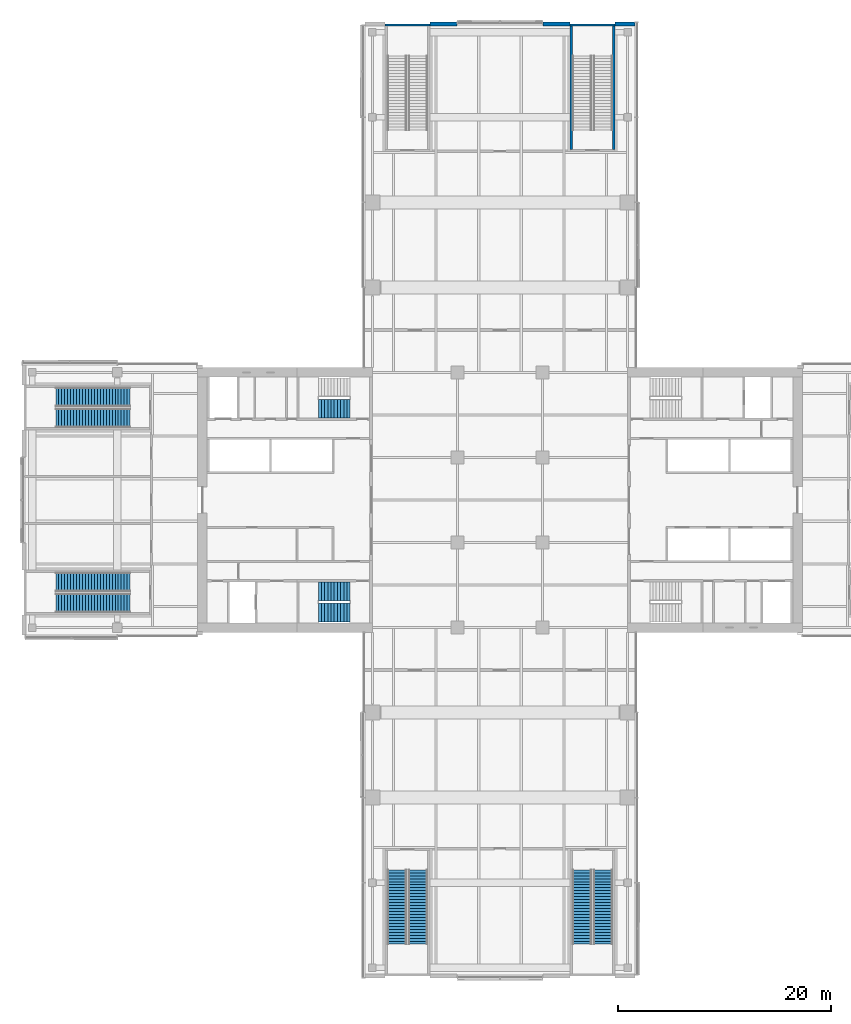
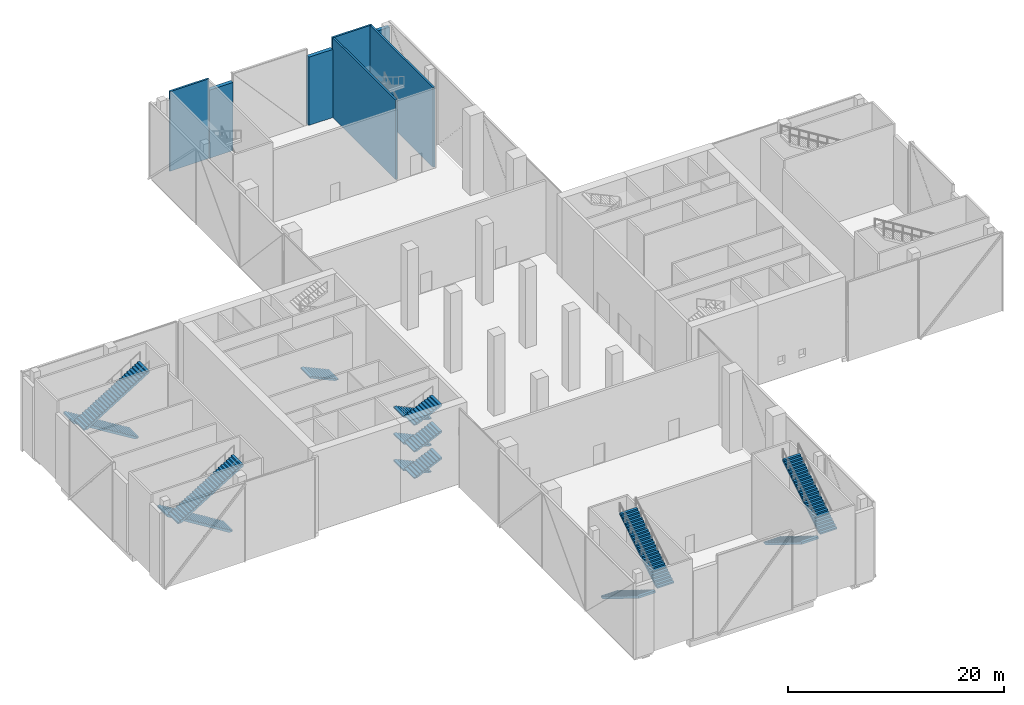
# One storey, part 18 of 26: 15 stair flights, 7 walls, 6 elements without a shape of their own.
"""IFC4 building model written with IfcOpenShell, lengths in metres."""

from ifc_helpers import new_model, si_unit, direction, frame, frame_2d, origin, place, context, subcontext, project, spatial, polyline, rectangle, outline, extrude, material, layer, layer_set, type_object, element, aggregate, save


model = new_model("IFC4")

# Units and contexts
model_context = context("Model", 3, precision=1e-05, world=origin(), true_north=direction((0.0, 1.0)))
body_context = subcontext(model_context, "Body", "Model", "MODEL_VIEW")
ifc_project = project(units=[si_unit("LENGTHUNIT", "METRE"), si_unit("AREAUNIT", "SQUARE_METRE"), si_unit("VOLUMEUNIT", "CUBIC_METRE"), si_unit("PLANEANGLEUNIT", "RADIAN"), si_unit("MASSUNIT", "GRAM", prefix="KILO")], contexts=[model_context])

# Site, building, storey
site_placement = place(None, origin())
site = spatial("IfcSite", under=ifc_project, at=site_placement, CompositionType="ELEMENT")
building_placement = place(site_placement, origin())
building = spatial("IfcBuilding", under=site, at=building_placement, Name="Crosswind Convention Tower", CompositionType="ELEMENT")
storey_placement = place(building_placement, frame((0.0, 0.0, 25.0)))
storey = spatial("IfcBuildingStorey", under=building, at=storey_placement, Name="L03", CompositionType="ELEMENT", Elevation=25.0)

# Walls
ifc_material_1 = material(Name="Concrete C40/50", Category="concrete")
ifc_layer_1 = layer(ifc_material_1, 0.199951171875)
ifc_layer_set_1 = layer_set([ifc_layer_1], Name="Concrete C40/50")
wall_type_1 = type_object("IfcWallType", Name="STAIR ENCLOSURE WALL 200", PredefinedType="SOLIDWALL", material=ifc_layer_set_1)
for number, where, z_axis, x_axis, name in (
    (1, (114.199951171875, 144.699951171875, 0.0), (0.0, 0.0, 1.0), (1.0, 0.0, 0.0), "Stair Enclosure Wall 21"),
    (2, (131.60009765625, 144.699951171875, 0.0), (0.0, 0.0, 1.0), (1.0, 0.0, 0.0), "Stair Enclosure Wall 22"),
):
    element("IfcWall", number, at=place(storey_placement, frame(where, z_axis=z_axis, x_axis=x_axis)), inside=storey, type_object=wall_type_1, Name=name, PredefinedType="SOLIDWALL", context=body_context, shape_type="SweptSolid", body=[
        extrude(rectangle(XDim=4.199951171875, YDim=0.199951171875, at=frame_2d((2.10009765625, 0.0))), origin(), (0.0, 0.0, 1.0), 9.0),
    ])
for number, where, z_axis, x_axis, name in (
    (3, (131.699951171875, 133.0, 0.0), (0.0, 0.0, 1.0), (0.0, 1.0, 0.0), "Stair Enclosure Wall 33"),
    (4, (135.699951171875, 133.0, 0.0), (0.0, 0.0, 1.0), (0.0, 1.0, 0.0), "Stair Enclosure Wall 35"),
):
    element("IfcWall", number, at=place(storey_placement, frame(where, z_axis=z_axis, x_axis=x_axis)), inside=storey, type_object=wall_type_1, Name=name, PredefinedType="SOLIDWALL", context=body_context, shape_type="SweptSolid", body=[
        extrude(rectangle(XDim=11.60009765625, YDim=0.199951171875, at=frame_2d((5.800048828125, 0.0))), origin(), (0.0, 0.0, 1.0), 9.0),
    ])
ifc_material_2 = material(Name="Terracotta rainscreen", Category="ceramic")
ifc_layer_2 = layer(ifc_material_2, 0.02001953125)
ifc_material_3 = material(Name="Mineral wool insulation", Category="insulation")
ifc_layer_3 = layer(ifc_material_3, 0.10009765625)
ifc_material_4 = material(Name="Concrete blockwork", Category="masonry")
ifc_layer_4 = layer(ifc_material_4, 0.280029296875)
ifc_layer_set_2 = layer_set([ifc_layer_2, ifc_layer_3, ifc_layer_4], Name="TERRACOTTA INFILL WALL 400")
wall_type_2 = type_object("IfcWallType", Name="TERRACOTTA INFILL WALL 400", PredefinedType="SOLIDWALL", material=ifc_layer_set_2)
wall_placement = place(storey_placement, frame((137.699951171875, 144.784912109375, 0.0), z_axis=(0.0, 0.0, 1.0), x_axis=(-1.0, 0.0, 0.0)))
element("IfcWall", 5, at=wall_placement, inside=storey, type_object=wall_type_2, Name="Stair enclosure side wall L03 N-TIP.1-1.1", PredefinedType="SOLIDWALL", context=body_context, shape_type="SweptSolid", body=[
    extrude(rectangle(XDim=1.89990234375, YDim=0.39990234375, at=frame_2d((0.949951171875, 0.0))), origin(), (0.0, 0.0, 1.0), 8.10009765625),
])
for number, where, z_axis, x_axis, name in (
    (6, (131.60009765625, 144.784912109375, 0.0), (0.0, 0.0, 1.0), (-1.0, 0.0, 0.0), "Stair enclosure side wall L03 N-TIP.1-1.2"),
    (7, (120.9599609375, 144.784912109375, 0.0), (0.0, 0.0, 1.0), (-1.0, 0.0, 0.0), "Stair enclosure side wall L03 N-TIP.1-3.1"),
):
    element("IfcWall", number, at=place(storey_placement, frame(where, z_axis=z_axis, x_axis=x_axis)), inside=storey, type_object=wall_type_2, Name=name, PredefinedType="SOLIDWALL", context=body_context, shape_type="SweptSolid", body=[
        extrude(rectangle(XDim=2.56005859375, YDim=0.39990234375, at=frame_2d((1.280029296875, 0.0))), origin(), (0.0, 0.0, 1.0), 7.699951171875),
    ])

# Stair, stair flights
stair_type_1 = type_object("IfcStairType", Name="PODIUM EXIT STAIR 9000 RISE", PredefinedType="HALF_TURN_STAIR", material=ifc_material_1)
stair_1_placement = place(storey_placement, origin())
stair_1 = element("IfcStair", 8, at=stair_1_placement, inside=storey, type_object=stair_type_1, Name="Exit stair S1 L03", ObjectType="ST12", PredefinedType="HALF_TURN_STAIR")
stair_flight_type_1 = type_object("IfcStairFlightType", Name="PODIUM STAIR FLIGHT 26 RISERS", PredefinedType="STRAIGHT", material=ifc_material_1)
stair_flight_1_placement = place(storey_placement, frame((115.300048828125, 65.199951171875, 0.0), z_axis=(0.0, 0.0, 1.0), x_axis=(0.0, -1.0, 0.0)))
stair_flight_1 = element("IfcStairFlight", 9, at=stair_flight_1_placement, type_object=stair_flight_type_1, Name="ST12 flight 1", NumberOfRisers=26, NumberOfTreads=25, PredefinedType="STRAIGHT", RiserHeight=0.173077, TreadLength=0.28, context=body_context, shape_type="SweptSolid", body=[
    extrude(outline(polyline([(0.0, 0.0), (0.0, 0.173095703125), (0.280029296875, 0.173095703125), (0.280029296875, 0.34619140625), (0.56005859375, 0.34619140625), (0.56005859375, 0.519287109375), (0.840087890625, 0.519287109375), (0.840087890625, 0.6923828125), (1.1201171875, 0.6923828125), (1.1201171875, 0.865478515625), (1.39990234375, 0.865478515625), (1.39990234375, 1.03857421875), (1.679931640625, 1.03857421875), (1.679931640625, 1.21142578125), (1.9599609375, 1.21142578125), (1.9599609375, 1.384521484375), (2.239990234375, 1.384521484375), (2.239990234375, 1.5576171875), (2.52001953125, 1.5576171875), (2.52001953125, 1.730712890625), (2.800048828125, 1.730712890625), (2.800048828125, 1.90380859375), (3.080078125, 1.90380859375), (3.080078125, 2.076904296875), (3.360107421875, 2.076904296875), (3.360107421875, 2.25), (3.639892578125, 2.25), (3.639892578125, 2.423095703125), (3.919921875, 2.423095703125), (3.919921875, 2.59619140625), (4.199951171875, 2.59619140625), (4.199951171875, 2.769287109375), (4.47998046875, 2.769287109375), (4.47998046875, 2.9423828125), (4.760009765625, 2.9423828125), (4.760009765625, 3.115478515625), (5.0400390625, 3.115478515625), (5.0400390625, 3.28857421875), (5.320068359375, 3.28857421875), (5.320068359375, 3.46142578125), (5.60009765625, 3.46142578125), (5.60009765625, 3.634521484375), (5.8798828125, 3.634521484375), (5.8798828125, 3.8076171875), (6.159912109375, 3.8076171875), (6.159912109375, 3.980712890625), (6.43994140625, 3.980712890625), (6.43994140625, 4.15380859375), (6.719970703125, 4.15380859375), (6.719970703125, 4.326904296875), (7.0, 4.326904296875), (7.0, 4.5), (7.0, 4.091796875), (0.38037109375, 0.0), (0.0, 0.0)])), frame((0.0, 0.89990234375, 0.0), z_axis=(0.0, -1.0, 0.0), x_axis=(1.0, 0.0, 0.0)), (0.0, 0.0, 1.0), 1.800048828125),
])
stair_flight_2_placement = place(storey_placement, frame((117.300048828125, 58.199951171875, 4.5), z_axis=(0.0, 0.0, 1.0), x_axis=(0.0, 1.0, 0.0)))
stair_flight_2 = element("IfcStairFlight", 10, at=stair_flight_2_placement, type_object=stair_flight_type_1, Name="ST12 flight 2", NumberOfRisers=26, NumberOfTreads=25, PredefinedType="STRAIGHT", RiserHeight=0.173077, TreadLength=0.28, context=body_context, shape_type="SweptSolid", body=[
    extrude(outline(polyline([(0.0, 0.0), (0.0, 0.173095703125), (0.280029296875, 0.173095703125), (0.280029296875, 0.34619140625), (0.56005859375, 0.34619140625), (0.56005859375, 0.519287109375), (0.840087890625, 0.519287109375), (0.840087890625, 0.6923828125), (1.1201171875, 0.6923828125), (1.1201171875, 0.865478515625), (1.39990234375, 0.865478515625), (1.39990234375, 1.03857421875), (1.679931640625, 1.03857421875), (1.679931640625, 1.21142578125), (1.9599609375, 1.21142578125), (1.9599609375, 1.384521484375), (2.239990234375, 1.384521484375), (2.239990234375, 1.5576171875), (2.52001953125, 1.5576171875), (2.52001953125, 1.730712890625), (2.800048828125, 1.730712890625), (2.800048828125, 1.90380859375), (3.080078125, 1.90380859375), (3.080078125, 2.076904296875), (3.360107421875, 2.076904296875), (3.360107421875, 2.25), (3.639892578125, 2.25), (3.639892578125, 2.423095703125), (3.919921875, 2.423095703125), (3.919921875, 2.59619140625), (4.199951171875, 2.59619140625), (4.199951171875, 2.769287109375), (4.47998046875, 2.769287109375), (4.47998046875, 2.9423828125), (4.760009765625, 2.9423828125), (4.760009765625, 3.115478515625), (5.0400390625, 3.115478515625), (5.0400390625, 3.28857421875), (5.320068359375, 3.28857421875), (5.320068359375, 3.46142578125), (5.60009765625, 3.46142578125), (5.60009765625, 3.634521484375), (5.8798828125, 3.634521484375), (5.8798828125, 3.8076171875), (6.159912109375, 3.8076171875), (6.159912109375, 3.980712890625), (6.43994140625, 3.980712890625), (6.43994140625, 4.15380859375), (6.719970703125, 4.15380859375), (6.719970703125, 4.326904296875), (7.0, 4.326904296875), (7.0, 4.5), (7.0, 4.091796875), (0.38037109375, 0.0), (0.0, 0.0)])), frame((0.0, 0.89990234375, 0.0), z_axis=(0.0, -1.0, 0.0), x_axis=(1.0, 0.0, 0.0)), (0.0, 0.0, 1.0), 1.800048828125),
])
aggregate(stair_1, [stair_flight_1, stair_flight_2])

stair_2_placement = place(storey_placement, origin())
stair_2 = element("IfcStair", 11, at=stair_2_placement, inside=storey, type_object=stair_type_1, Name="Exit stair S2 L03", ObjectType="ST12", PredefinedType="HALF_TURN_STAIR")
stair_flight_3_placement = place(storey_placement, frame((132.699951171875, 65.199951171875, 0.0), z_axis=(0.0, 0.0, 1.0), x_axis=(0.0, -1.0, 0.0)))
stair_flight_3 = element("IfcStairFlight", 12, at=stair_flight_3_placement, type_object=stair_flight_type_1, Name="ST12 flight 1", NumberOfRisers=26, NumberOfTreads=25, PredefinedType="STRAIGHT", RiserHeight=0.173077, TreadLength=0.28, context=body_context, shape_type="SweptSolid", body=[
    extrude(outline(polyline([(0.0, 0.0), (0.0, 0.173095703125), (0.280029296875, 0.173095703125), (0.280029296875, 0.34619140625), (0.56005859375, 0.34619140625), (0.56005859375, 0.519287109375), (0.840087890625, 0.519287109375), (0.840087890625, 0.6923828125), (1.1201171875, 0.6923828125), (1.1201171875, 0.865478515625), (1.39990234375, 0.865478515625), (1.39990234375, 1.03857421875), (1.679931640625, 1.03857421875), (1.679931640625, 1.21142578125), (1.9599609375, 1.21142578125), (1.9599609375, 1.384521484375), (2.239990234375, 1.384521484375), (2.239990234375, 1.5576171875), (2.52001953125, 1.5576171875), (2.52001953125, 1.730712890625), (2.800048828125, 1.730712890625), (2.800048828125, 1.90380859375), (3.080078125, 1.90380859375), (3.080078125, 2.076904296875), (3.360107421875, 2.076904296875), (3.360107421875, 2.25), (3.639892578125, 2.25), (3.639892578125, 2.423095703125), (3.919921875, 2.423095703125), (3.919921875, 2.59619140625), (4.199951171875, 2.59619140625), (4.199951171875, 2.769287109375), (4.47998046875, 2.769287109375), (4.47998046875, 2.9423828125), (4.760009765625, 2.9423828125), (4.760009765625, 3.115478515625), (5.0400390625, 3.115478515625), (5.0400390625, 3.28857421875), (5.320068359375, 3.28857421875), (5.320068359375, 3.46142578125), (5.60009765625, 3.46142578125), (5.60009765625, 3.634521484375), (5.8798828125, 3.634521484375), (5.8798828125, 3.8076171875), (6.159912109375, 3.8076171875), (6.159912109375, 3.980712890625), (6.43994140625, 3.980712890625), (6.43994140625, 4.15380859375), (6.719970703125, 4.15380859375), (6.719970703125, 4.326904296875), (7.0, 4.326904296875), (7.0, 4.5), (7.0, 4.091796875), (0.38037109375, 0.0), (0.0, 0.0)])), frame((0.0, 0.89990234375, 0.0), z_axis=(0.0, -1.0, 0.0), x_axis=(1.0, 0.0, 0.0)), (0.0, 0.0, 1.0), 1.800048828125),
])
stair_flight_4_placement = place(storey_placement, frame((134.699951171875, 58.199951171875, 4.5), z_axis=(0.0, 0.0, 1.0), x_axis=(0.0, 1.0, 0.0)))
stair_flight_4 = element("IfcStairFlight", 13, at=stair_flight_4_placement, type_object=stair_flight_type_1, Name="ST12 flight 2", NumberOfRisers=26, NumberOfTreads=25, PredefinedType="STRAIGHT", RiserHeight=0.173077, TreadLength=0.28, context=body_context, shape_type="SweptSolid", body=[
    extrude(outline(polyline([(0.0, 0.0), (0.0, 0.173095703125), (0.280029296875, 0.173095703125), (0.280029296875, 0.34619140625), (0.56005859375, 0.34619140625), (0.56005859375, 0.519287109375), (0.840087890625, 0.519287109375), (0.840087890625, 0.6923828125), (1.1201171875, 0.6923828125), (1.1201171875, 0.865478515625), (1.39990234375, 0.865478515625), (1.39990234375, 1.03857421875), (1.679931640625, 1.03857421875), (1.679931640625, 1.21142578125), (1.9599609375, 1.21142578125), (1.9599609375, 1.384521484375), (2.239990234375, 1.384521484375), (2.239990234375, 1.5576171875), (2.52001953125, 1.5576171875), (2.52001953125, 1.730712890625), (2.800048828125, 1.730712890625), (2.800048828125, 1.90380859375), (3.080078125, 1.90380859375), (3.080078125, 2.076904296875), (3.360107421875, 2.076904296875), (3.360107421875, 2.25), (3.639892578125, 2.25), (3.639892578125, 2.423095703125), (3.919921875, 2.423095703125), (3.919921875, 2.59619140625), (4.199951171875, 2.59619140625), (4.199951171875, 2.769287109375), (4.47998046875, 2.769287109375), (4.47998046875, 2.9423828125), (4.760009765625, 2.9423828125), (4.760009765625, 3.115478515625), (5.0400390625, 3.115478515625), (5.0400390625, 3.28857421875), (5.320068359375, 3.28857421875), (5.320068359375, 3.46142578125), (5.60009765625, 3.46142578125), (5.60009765625, 3.634521484375), (5.8798828125, 3.634521484375), (5.8798828125, 3.8076171875), (6.159912109375, 3.8076171875), (6.159912109375, 3.980712890625), (6.43994140625, 3.980712890625), (6.43994140625, 4.15380859375), (6.719970703125, 4.15380859375), (6.719970703125, 4.326904296875), (7.0, 4.326904296875), (7.0, 4.5), (7.0, 4.091796875), (0.38037109375, 0.0), (0.0, 0.0)])), frame((0.0, 0.89990234375, 0.0), z_axis=(0.0, -1.0, 0.0), x_axis=(1.0, 0.0, 0.0)), (0.0, 0.0, 1.0), 1.800048828125),
])
aggregate(stair_2, [stair_flight_3, stair_flight_4])

stair_3_placement = place(storey_placement, origin())
stair_3 = element("IfcStair", 14, at=stair_3_placement, inside=storey, type_object=stair_type_1, Name="Exit stair W1 L03", ObjectType="ST12", PredefinedType="HALF_TURN_STAIR")
stair_flight_5_placement = place(storey_placement, frame((90.199951171875, 92.300048828125, 0.0), z_axis=(0.0, 0.0, 1.0), x_axis=(-1.0, 0.0, 0.0)))
stair_flight_5 = element("IfcStairFlight", 15, at=stair_flight_5_placement, type_object=stair_flight_type_1, Name="ST12 flight 1", NumberOfRisers=26, NumberOfTreads=25, PredefinedType="STRAIGHT", RiserHeight=0.173077, TreadLength=0.28, context=body_context, shape_type="SweptSolid", body=[
    extrude(outline(polyline([(0.0, 0.0), (0.0, 0.173095703125), (0.280029296875, 0.173095703125), (0.280029296875, 0.34619140625), (0.56005859375, 0.34619140625), (0.56005859375, 0.519287109375), (0.840087890625, 0.519287109375), (0.840087890625, 0.6923828125), (1.1201171875, 0.6923828125), (1.1201171875, 0.865478515625), (1.39990234375, 0.865478515625), (1.39990234375, 1.03857421875), (1.679931640625, 1.03857421875), (1.679931640625, 1.21142578125), (1.9599609375, 1.21142578125), (1.9599609375, 1.384521484375), (2.239990234375, 1.384521484375), (2.239990234375, 1.5576171875), (2.52001953125, 1.5576171875), (2.52001953125, 1.730712890625), (2.800048828125, 1.730712890625), (2.800048828125, 1.90380859375), (3.080078125, 1.90380859375), (3.080078125, 2.076904296875), (3.360107421875, 2.076904296875), (3.360107421875, 2.25), (3.639892578125, 2.25), (3.639892578125, 2.423095703125), (3.919921875, 2.423095703125), (3.919921875, 2.59619140625), (4.199951171875, 2.59619140625), (4.199951171875, 2.769287109375), (4.47998046875, 2.769287109375), (4.47998046875, 2.9423828125), (4.760009765625, 2.9423828125), (4.760009765625, 3.115478515625), (5.0400390625, 3.115478515625), (5.0400390625, 3.28857421875), (5.320068359375, 3.28857421875), (5.320068359375, 3.46142578125), (5.60009765625, 3.46142578125), (5.60009765625, 3.634521484375), (5.8798828125, 3.634521484375), (5.8798828125, 3.8076171875), (6.159912109375, 3.8076171875), (6.159912109375, 3.980712890625), (6.43994140625, 3.980712890625), (6.43994140625, 4.15380859375), (6.719970703125, 4.15380859375), (6.719970703125, 4.326904296875), (7.0, 4.326904296875), (7.0, 4.5), (7.0, 4.091796875), (0.38037109375, 0.0), (0.0, 0.0)])), frame((0.0, 0.89990234375, 0.0), z_axis=(0.0, -1.0, 0.0), x_axis=(1.0, 0.0, 0.0)), (0.0, 0.0, 1.0), 1.800048828125),
])
stair_flight_6_placement = place(storey_placement, frame((83.199951171875, 90.300048828125, 4.5), z_axis=(0.0, 0.0, 1.0), x_axis=(1.0, 0.0, 0.0)))
stair_flight_6 = element("IfcStairFlight", 16, at=stair_flight_6_placement, type_object=stair_flight_type_1, Name="ST12 flight 2", NumberOfRisers=26, NumberOfTreads=25, PredefinedType="STRAIGHT", RiserHeight=0.173077, TreadLength=0.28, context=body_context, shape_type="SweptSolid", body=[
    extrude(outline(polyline([(0.0, 0.0), (0.0, 0.173095703125), (0.280029296875, 0.173095703125), (0.280029296875, 0.34619140625), (0.56005859375, 0.34619140625), (0.56005859375, 0.519287109375), (0.840087890625, 0.519287109375), (0.840087890625, 0.6923828125), (1.1201171875, 0.6923828125), (1.1201171875, 0.865478515625), (1.39990234375, 0.865478515625), (1.39990234375, 1.03857421875), (1.679931640625, 1.03857421875), (1.679931640625, 1.21142578125), (1.9599609375, 1.21142578125), (1.9599609375, 1.384521484375), (2.239990234375, 1.384521484375), (2.239990234375, 1.5576171875), (2.52001953125, 1.5576171875), (2.52001953125, 1.730712890625), (2.800048828125, 1.730712890625), (2.800048828125, 1.90380859375), (3.080078125, 1.90380859375), (3.080078125, 2.076904296875), (3.360107421875, 2.076904296875), (3.360107421875, 2.25), (3.639892578125, 2.25), (3.639892578125, 2.423095703125), (3.919921875, 2.423095703125), (3.919921875, 2.59619140625), (4.199951171875, 2.59619140625), (4.199951171875, 2.769287109375), (4.47998046875, 2.769287109375), (4.47998046875, 2.9423828125), (4.760009765625, 2.9423828125), (4.760009765625, 3.115478515625), (5.0400390625, 3.115478515625), (5.0400390625, 3.28857421875), (5.320068359375, 3.28857421875), (5.320068359375, 3.46142578125), (5.60009765625, 3.46142578125), (5.60009765625, 3.634521484375), (5.8798828125, 3.634521484375), (5.8798828125, 3.8076171875), (6.159912109375, 3.8076171875), (6.159912109375, 3.980712890625), (6.43994140625, 3.980712890625), (6.43994140625, 4.15380859375), (6.719970703125, 4.15380859375), (6.719970703125, 4.326904296875), (7.0, 4.326904296875), (7.0, 4.5), (7.0, 4.091796875), (0.38037109375, 0.0), (0.0, 0.0)])), frame((0.0, 0.89990234375, 0.0), z_axis=(0.0, -1.0, 0.0), x_axis=(1.0, 0.0, 0.0)), (0.0, 0.0, 1.0), 1.800048828125),
])
aggregate(stair_3, [stair_flight_5, stair_flight_6])

stair_4_placement = place(storey_placement, origin())
stair_4 = element("IfcStair", 17, at=stair_4_placement, inside=storey, type_object=stair_type_1, Name="Exit stair W2 L03", ObjectType="ST12", PredefinedType="HALF_TURN_STAIR")
stair_flight_7_placement = place(storey_placement, frame((90.199951171875, 109.699951171875, 0.0), z_axis=(0.0, 0.0, 1.0), x_axis=(-1.0, 0.0, 0.0)))
stair_flight_7 = element("IfcStairFlight", 18, at=stair_flight_7_placement, type_object=stair_flight_type_1, Name="ST12 flight 1", NumberOfRisers=26, NumberOfTreads=25, PredefinedType="STRAIGHT", RiserHeight=0.173077, TreadLength=0.28, context=body_context, shape_type="SweptSolid", body=[
    extrude(outline(polyline([(0.0, 0.0), (0.0, 0.173095703125), (0.280029296875, 0.173095703125), (0.280029296875, 0.34619140625), (0.56005859375, 0.34619140625), (0.56005859375, 0.519287109375), (0.840087890625, 0.519287109375), (0.840087890625, 0.6923828125), (1.1201171875, 0.6923828125), (1.1201171875, 0.865478515625), (1.39990234375, 0.865478515625), (1.39990234375, 1.03857421875), (1.679931640625, 1.03857421875), (1.679931640625, 1.21142578125), (1.9599609375, 1.21142578125), (1.9599609375, 1.384521484375), (2.239990234375, 1.384521484375), (2.239990234375, 1.5576171875), (2.52001953125, 1.5576171875), (2.52001953125, 1.730712890625), (2.800048828125, 1.730712890625), (2.800048828125, 1.90380859375), (3.080078125, 1.90380859375), (3.080078125, 2.076904296875), (3.360107421875, 2.076904296875), (3.360107421875, 2.25), (3.639892578125, 2.25), (3.639892578125, 2.423095703125), (3.919921875, 2.423095703125), (3.919921875, 2.59619140625), (4.199951171875, 2.59619140625), (4.199951171875, 2.769287109375), (4.47998046875, 2.769287109375), (4.47998046875, 2.9423828125), (4.760009765625, 2.9423828125), (4.760009765625, 3.115478515625), (5.0400390625, 3.115478515625), (5.0400390625, 3.28857421875), (5.320068359375, 3.28857421875), (5.320068359375, 3.46142578125), (5.60009765625, 3.46142578125), (5.60009765625, 3.634521484375), (5.8798828125, 3.634521484375), (5.8798828125, 3.8076171875), (6.159912109375, 3.8076171875), (6.159912109375, 3.980712890625), (6.43994140625, 3.980712890625), (6.43994140625, 4.15380859375), (6.719970703125, 4.15380859375), (6.719970703125, 4.326904296875), (7.0, 4.326904296875), (7.0, 4.5), (7.0, 4.091796875), (0.38037109375, 0.0), (0.0, 0.0)])), frame((0.0, 0.89990234375, 0.0), z_axis=(0.0, -1.0, 0.0), x_axis=(1.0, 0.0, 0.0)), (0.0, 0.0, 1.0), 1.800048828125),
])
stair_flight_8_placement = place(storey_placement, frame((83.199951171875, 107.699951171875, 4.5), z_axis=(0.0, 0.0, 1.0), x_axis=(1.0, 0.0, 0.0)))
stair_flight_8 = element("IfcStairFlight", 19, at=stair_flight_8_placement, type_object=stair_flight_type_1, Name="ST12 flight 2", NumberOfRisers=26, NumberOfTreads=25, PredefinedType="STRAIGHT", RiserHeight=0.173077, TreadLength=0.28, context=body_context, shape_type="SweptSolid", body=[
    extrude(outline(polyline([(0.0, 0.0), (0.0, 0.173095703125), (0.280029296875, 0.173095703125), (0.280029296875, 0.34619140625), (0.56005859375, 0.34619140625), (0.56005859375, 0.519287109375), (0.840087890625, 0.519287109375), (0.840087890625, 0.6923828125), (1.1201171875, 0.6923828125), (1.1201171875, 0.865478515625), (1.39990234375, 0.865478515625), (1.39990234375, 1.03857421875), (1.679931640625, 1.03857421875), (1.679931640625, 1.21142578125), (1.9599609375, 1.21142578125), (1.9599609375, 1.384521484375), (2.239990234375, 1.384521484375), (2.239990234375, 1.5576171875), (2.52001953125, 1.5576171875), (2.52001953125, 1.730712890625), (2.800048828125, 1.730712890625), (2.800048828125, 1.90380859375), (3.080078125, 1.90380859375), (3.080078125, 2.076904296875), (3.360107421875, 2.076904296875), (3.360107421875, 2.25), (3.639892578125, 2.25), (3.639892578125, 2.423095703125), (3.919921875, 2.423095703125), (3.919921875, 2.59619140625), (4.199951171875, 2.59619140625), (4.199951171875, 2.769287109375), (4.47998046875, 2.769287109375), (4.47998046875, 2.9423828125), (4.760009765625, 2.9423828125), (4.760009765625, 3.115478515625), (5.0400390625, 3.115478515625), (5.0400390625, 3.28857421875), (5.320068359375, 3.28857421875), (5.320068359375, 3.46142578125), (5.60009765625, 3.46142578125), (5.60009765625, 3.634521484375), (5.8798828125, 3.634521484375), (5.8798828125, 3.8076171875), (6.159912109375, 3.8076171875), (6.159912109375, 3.980712890625), (6.43994140625, 3.980712890625), (6.43994140625, 4.15380859375), (6.719970703125, 4.15380859375), (6.719970703125, 4.326904296875), (7.0, 4.326904296875), (7.0, 4.5), (7.0, 4.091796875), (0.38037109375, 0.0), (0.0, 0.0)])), frame((0.0, 0.89990234375, 0.0), z_axis=(0.0, -1.0, 0.0), x_axis=(1.0, 0.0, 0.0)), (0.0, 0.0, 1.0), 1.800048828125),
])
aggregate(stair_4, [stair_flight_7, stair_flight_8])

stair_type_2 = type_object("IfcStairType", Name="Exit stair 1800 wide, 6 flights of 11 risers", PredefinedType="HALF_TURN_STAIR", material=ifc_material_1)
stair_5_placement = place(storey_placement, origin())
stair_5 = element("IfcStair", 20, at=stair_5_placement, inside=storey, type_object=stair_type_2, Name="Exit stair ST3 L03", ObjectType="ST7", PredefinedType="HALF_TURN_STAIR")
stair_flight_type_2 = type_object("IfcStairFlightType", Name="Stair flight 1800 wide, 11 risers (SF1)", PredefinedType="STRAIGHT", material=ifc_material_1)
stair_flight_9_placement = place(storey_placement, frame((110.89990234375, 91.39990234375, 0.0), z_axis=(0.0, 0.0, 1.0), x_axis=(-1.0, 0.0, 0.0)))
stair_flight_9 = element("IfcStairFlight", 21, at=stair_flight_9_placement, type_object=stair_flight_type_2, Name="ST3 flight 1", NumberOfRisers=11, NumberOfTreads=10, PredefinedType="STRAIGHT", RiserHeight=0.136363636, TreadLength=0.3, context=body_context, shape_type="SweptSolid", body=[
    extrude(outline(polyline([(0.0, 0.0), (0.0, 0.136474609375), (0.300048828125, 0.136474609375), (0.300048828125, 0.272705078125), (0.60009765625, 0.272705078125), (0.60009765625, 0.4091796875), (0.89990234375, 0.4091796875), (0.89990234375, 0.54541015625), (1.199951171875, 0.54541015625), (1.199951171875, 0.681884765625), (1.5, 0.681884765625), (1.5, 0.818115234375), (1.800048828125, 0.818115234375), (1.800048828125, 0.95458984375), (2.10009765625, 0.95458984375), (2.10009765625, 1.0908203125), (2.39990234375, 1.0908203125), (2.39990234375, 1.227294921875), (2.699951171875, 1.227294921875), (2.699951171875, 1.363525390625), (3.0, 1.363525390625), (3.0, 1.5), (3.0, 1.198974609375), (0.3623046875, 0.0), (0.0, 0.0)])), frame((0.0, 0.89990234375, 0.0), z_axis=(0.0, -1.0, 0.0), x_axis=(1.0, 0.0, 0.0)), (0.0, 0.0, 1.0), 1.800048828125),
])
stair_flight_10_placement = place(storey_placement, frame((107.89990234375, 89.39990234375, 1.5), z_axis=(0.0, 0.0, 1.0), x_axis=(1.0, 0.0, 0.0)))
stair_flight_10 = element("IfcStairFlight", 22, at=stair_flight_10_placement, type_object=stair_flight_type_2, Name="ST3 flight 2", NumberOfRisers=11, NumberOfTreads=10, PredefinedType="STRAIGHT", RiserHeight=0.136363636, TreadLength=0.3, context=body_context, shape_type="SweptSolid", body=[
    extrude(outline(polyline([(0.0, 0.0), (0.0, 0.136474609375), (0.300048828125, 0.136474609375), (0.300048828125, 0.272705078125), (0.60009765625, 0.272705078125), (0.60009765625, 0.4091796875), (0.89990234375, 0.4091796875), (0.89990234375, 0.54541015625), (1.199951171875, 0.54541015625), (1.199951171875, 0.681884765625), (1.5, 0.681884765625), (1.5, 0.818115234375), (1.800048828125, 0.818115234375), (1.800048828125, 0.95458984375), (2.10009765625, 0.95458984375), (2.10009765625, 1.0908203125), (2.39990234375, 1.0908203125), (2.39990234375, 1.227294921875), (2.699951171875, 1.227294921875), (2.699951171875, 1.363525390625), (3.0, 1.363525390625), (3.0, 1.5), (3.0, 1.198974609375), (0.3623046875, 0.0), (0.0, 0.0)])), frame((0.0, 0.89990234375, 0.0), z_axis=(0.0, -1.0, 0.0), x_axis=(1.0, 0.0, 0.0)), (0.0, 0.0, 1.0), 1.800048828125),
])
stair_flight_11_placement = place(storey_placement, frame((110.89990234375, 91.39990234375, 3.0), z_axis=(0.0, 0.0, 1.0), x_axis=(-1.0, 0.0, 0.0)))
stair_flight_11 = element("IfcStairFlight", 23, at=stair_flight_11_placement, type_object=stair_flight_type_2, Name="ST3 flight 3", NumberOfRisers=11, NumberOfTreads=10, PredefinedType="STRAIGHT", RiserHeight=0.136363636, TreadLength=0.3, context=body_context, shape_type="SweptSolid", body=[
    extrude(outline(polyline([(0.0, 0.0), (0.0, 0.136474609375), (0.300048828125, 0.136474609375), (0.300048828125, 0.272705078125), (0.60009765625, 0.272705078125), (0.60009765625, 0.4091796875), (0.89990234375, 0.4091796875), (0.89990234375, 0.54541015625), (1.199951171875, 0.54541015625), (1.199951171875, 0.681884765625), (1.5, 0.681884765625), (1.5, 0.818115234375), (1.800048828125, 0.818115234375), (1.800048828125, 0.95458984375), (2.10009765625, 0.95458984375), (2.10009765625, 1.0908203125), (2.39990234375, 1.0908203125), (2.39990234375, 1.227294921875), (2.699951171875, 1.227294921875), (2.699951171875, 1.363525390625), (3.0, 1.363525390625), (3.0, 1.5), (3.0, 1.198974609375), (0.3623046875, 0.0), (0.0, 0.0)])), frame((0.0, 0.89990234375, 0.0), z_axis=(0.0, -1.0, 0.0), x_axis=(1.0, 0.0, 0.0)), (0.0, 0.0, 1.0), 1.800048828125),
])
stair_flight_12_placement = place(storey_placement, frame((107.89990234375, 89.39990234375, 4.5), z_axis=(0.0, 0.0, 1.0), x_axis=(1.0, 0.0, 0.0)))
stair_flight_12 = element("IfcStairFlight", 24, at=stair_flight_12_placement, type_object=stair_flight_type_2, Name="ST3 flight 4", NumberOfRisers=11, NumberOfTreads=10, PredefinedType="STRAIGHT", RiserHeight=0.136363636, TreadLength=0.3, context=body_context, shape_type="SweptSolid", body=[
    extrude(outline(polyline([(0.0, 0.0), (0.0, 0.136474609375), (0.300048828125, 0.136474609375), (0.300048828125, 0.272705078125), (0.60009765625, 0.272705078125), (0.60009765625, 0.4091796875), (0.89990234375, 0.4091796875), (0.89990234375, 0.54541015625), (1.199951171875, 0.54541015625), (1.199951171875, 0.681884765625), (1.5, 0.681884765625), (1.5, 0.818115234375), (1.800048828125, 0.818115234375), (1.800048828125, 0.95458984375), (2.10009765625, 0.95458984375), (2.10009765625, 1.0908203125), (2.39990234375, 1.0908203125), (2.39990234375, 1.227294921875), (2.699951171875, 1.227294921875), (2.699951171875, 1.363525390625), (3.0, 1.363525390625), (3.0, 1.5), (3.0, 1.198974609375), (0.3623046875, 0.0), (0.0, 0.0)])), frame((0.0, 0.89990234375, 0.0), z_axis=(0.0, -1.0, 0.0), x_axis=(1.0, 0.0, 0.0)), (0.0, 0.0, 1.0), 1.800048828125),
])
stair_flight_13_placement = place(storey_placement, frame((110.89990234375, 91.39990234375, 6.0), z_axis=(0.0, 0.0, 1.0), x_axis=(-1.0, 0.0, 0.0)))
stair_flight_13 = element("IfcStairFlight", 25, at=stair_flight_13_placement, type_object=stair_flight_type_2, Name="ST3 flight 5", NumberOfRisers=11, NumberOfTreads=10, PredefinedType="STRAIGHT", RiserHeight=0.136363636, TreadLength=0.3, context=body_context, shape_type="SweptSolid", body=[
    extrude(outline(polyline([(0.0, 0.0), (0.0, 0.136474609375), (0.300048828125, 0.136474609375), (0.300048828125, 0.272705078125), (0.60009765625, 0.272705078125), (0.60009765625, 0.4091796875), (0.89990234375, 0.4091796875), (0.89990234375, 0.54541015625), (1.199951171875, 0.54541015625), (1.199951171875, 0.681884765625), (1.5, 0.681884765625), (1.5, 0.818115234375), (1.800048828125, 0.818115234375), (1.800048828125, 0.95458984375), (2.10009765625, 0.95458984375), (2.10009765625, 1.0908203125), (2.39990234375, 1.0908203125), (2.39990234375, 1.227294921875), (2.699951171875, 1.227294921875), (2.699951171875, 1.363525390625), (3.0, 1.363525390625), (3.0, 1.5), (3.0, 1.198974609375), (0.3623046875, 0.0), (0.0, 0.0)])), frame((0.0, 0.89990234375, 0.0), z_axis=(0.0, -1.0, 0.0), x_axis=(1.0, 0.0, 0.0)), (0.0, 0.0, 1.0), 1.800048828125),
])
stair_flight_14_placement = place(storey_placement, frame((107.89990234375, 89.39990234375, 7.5), z_axis=(0.0, 0.0, 1.0), x_axis=(1.0, 0.0, 0.0)))
stair_flight_14 = element("IfcStairFlight", 26, at=stair_flight_14_placement, type_object=stair_flight_type_2, Name="ST3 flight 6", NumberOfRisers=11, NumberOfTreads=10, PredefinedType="STRAIGHT", RiserHeight=0.136363636, TreadLength=0.3, context=body_context, shape_type="SweptSolid", body=[
    extrude(outline(polyline([(0.0, 0.0), (0.0, 0.136474609375), (0.300048828125, 0.136474609375), (0.300048828125, 0.272705078125), (0.60009765625, 0.272705078125), (0.60009765625, 0.4091796875), (0.89990234375, 0.4091796875), (0.89990234375, 0.54541015625), (1.199951171875, 0.54541015625), (1.199951171875, 0.681884765625), (1.5, 0.681884765625), (1.5, 0.818115234375), (1.800048828125, 0.818115234375), (1.800048828125, 0.95458984375), (2.10009765625, 0.95458984375), (2.10009765625, 1.0908203125), (2.39990234375, 1.0908203125), (2.39990234375, 1.227294921875), (2.699951171875, 1.227294921875), (2.699951171875, 1.363525390625), (3.0, 1.363525390625), (3.0, 1.5), (3.0, 1.198974609375), (0.3623046875, 0.0), (0.0, 0.0)])), frame((0.0, 0.89990234375, 0.0), z_axis=(0.0, -1.0, 0.0), x_axis=(1.0, 0.0, 0.0)), (0.0, 0.0, 1.0), 1.800048828125),
])
aggregate(stair_5, [stair_flight_9, stair_flight_10, stair_flight_11, stair_flight_12, stair_flight_13, stair_flight_14])

# Stair, stair flight
stair_6_placement = place(storey_placement, origin())
stair_6 = element("IfcStair", 27, at=stair_6_placement, inside=storey, type_object=stair_type_2, Name="Exit stair ST4 L03", ObjectType="ST7", PredefinedType="HALF_TURN_STAIR")
stair_flight_15_placement = place(storey_placement, frame((110.89990234375, 108.60009765625, 0.0), z_axis=(0.0, 0.0, 1.0), x_axis=(-1.0, 0.0, 0.0)))
stair_flight_15 = element("IfcStairFlight", 28, at=stair_flight_15_placement, type_object=stair_flight_type_2, Name="ST4 flight 1", NumberOfRisers=11, NumberOfTreads=10, PredefinedType="STRAIGHT", RiserHeight=0.136363636, TreadLength=0.3, context=body_context, shape_type="SweptSolid", body=[
    extrude(outline(polyline([(0.0, 0.0), (0.0, 0.136474609375), (0.300048828125, 0.136474609375), (0.300048828125, 0.272705078125), (0.60009765625, 0.272705078125), (0.60009765625, 0.4091796875), (0.89990234375, 0.4091796875), (0.89990234375, 0.54541015625), (1.199951171875, 0.54541015625), (1.199951171875, 0.681884765625), (1.5, 0.681884765625), (1.5, 0.818115234375), (1.800048828125, 0.818115234375), (1.800048828125, 0.95458984375), (2.10009765625, 0.95458984375), (2.10009765625, 1.0908203125), (2.39990234375, 1.0908203125), (2.39990234375, 1.227294921875), (2.699951171875, 1.227294921875), (2.699951171875, 1.363525390625), (3.0, 1.363525390625), (3.0, 1.5), (3.0, 1.198974609375), (0.3623046875, 0.0), (0.0, 0.0)])), frame((0.0, 0.89990234375, 0.0), z_axis=(0.0, -1.0, 0.0), x_axis=(1.0, 0.0, 0.0)), (0.0, 0.0, 1.0), 1.800048828125),
])
aggregate(stair_6, [stair_flight_15])

save(model, "model.ifc")
